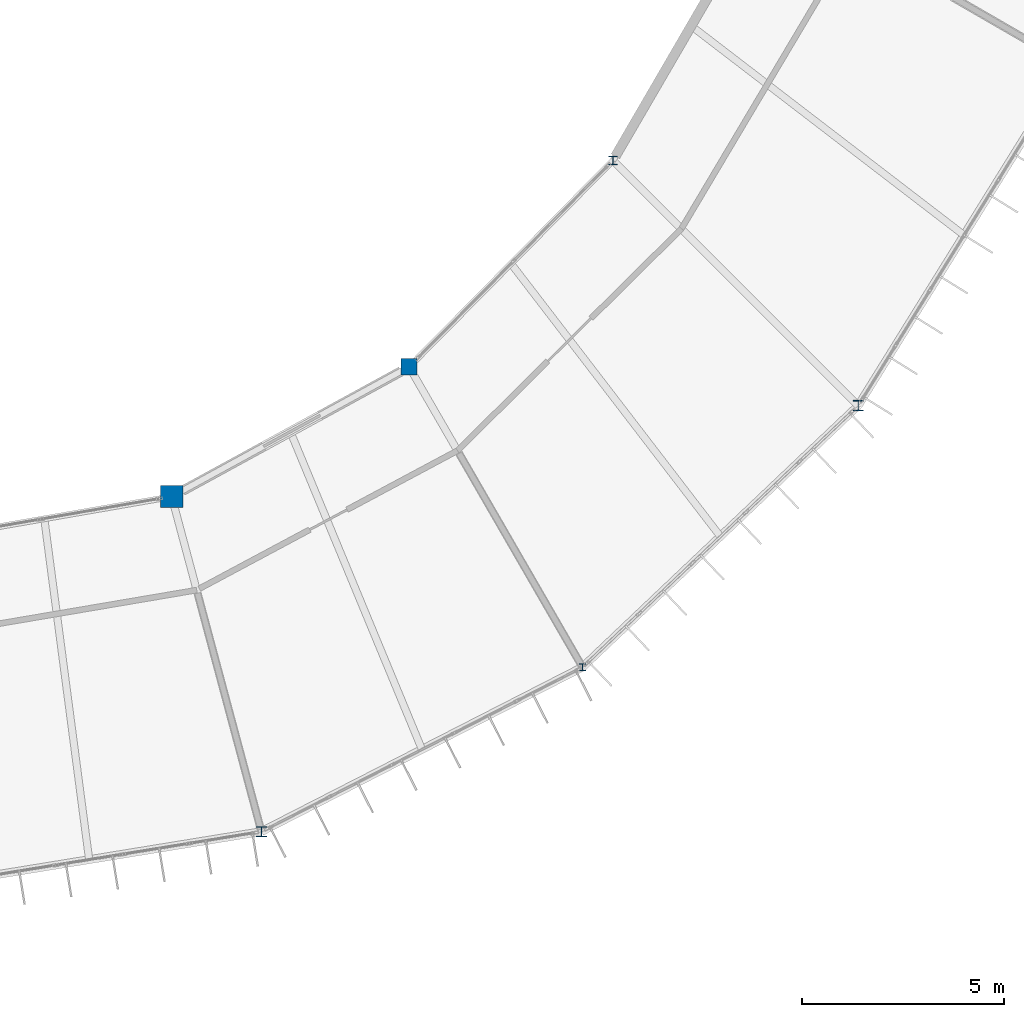
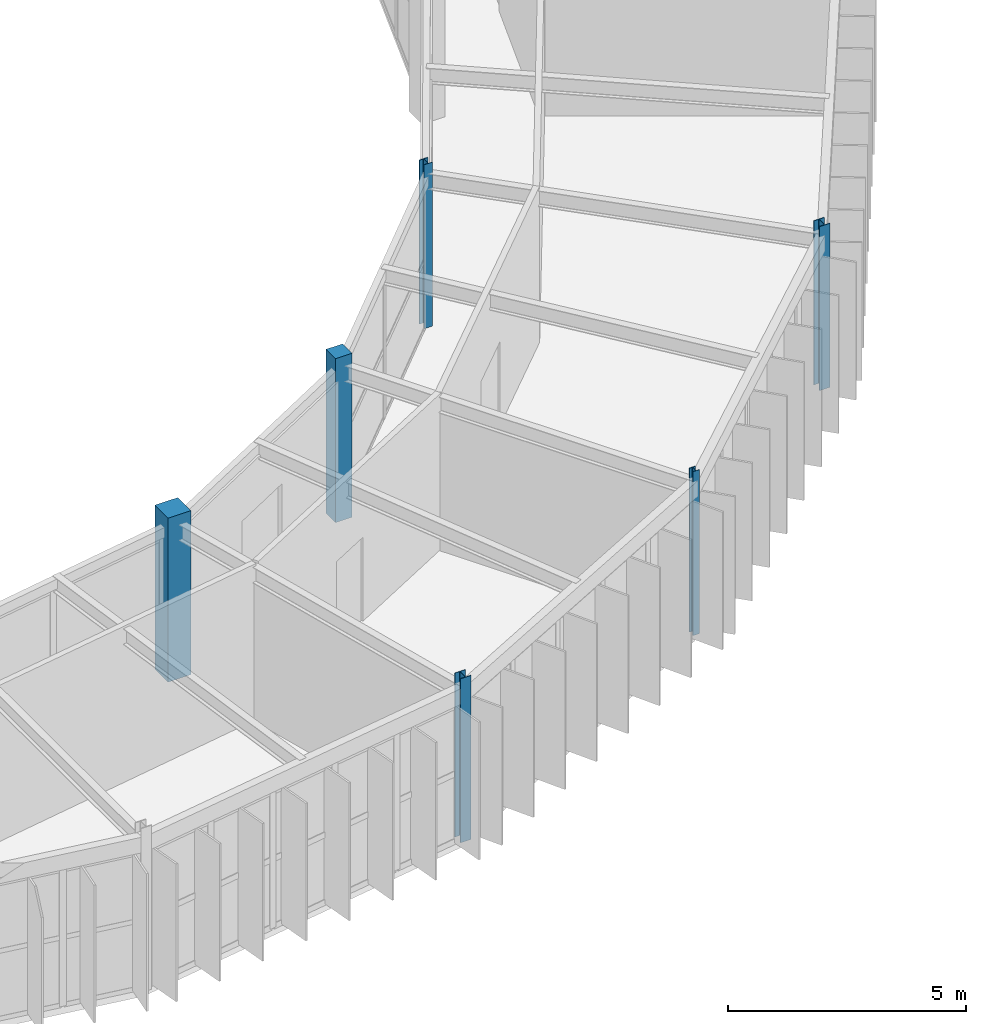
# One storey, part 3 of 106: 6 columns.
"""IFC4 building model written with IfcOpenShell, lengths in metres."""

from ifc_helpers import new_model, si_unit, direction, frame, origin, origin_2d, place, context, subcontext, project, spatial, rectangle, i_section, extrude, material, material_profile, profile_set, type_object, element, save


model = new_model("IFC4")

# Units and contexts
model_context = context("Model", 3, precision=1e-05, world=origin(), true_north=direction((0.0, 1.0)))
body_context = subcontext(model_context, "Body", "Model", "MODEL_VIEW")
ifc_project = project(units=[si_unit("LENGTHUNIT", "METRE"), si_unit("AREAUNIT", "SQUARE_METRE"), si_unit("VOLUMEUNIT", "CUBIC_METRE"), si_unit("PLANEANGLEUNIT", "RADIAN"), si_unit("MASSUNIT", "GRAM", prefix="KILO")], contexts=[model_context])

# Site, building, storey
site_placement = place(None, origin())
site = spatial("IfcSite", under=ifc_project, at=site_placement, CompositionType="ELEMENT")
building_placement = place(site_placement, origin())
building = spatial("IfcBuilding", under=site, at=building_placement, Name="Karori Crest Natural Sciences Institute", CompositionType="ELEMENT")
storey_placement = place(building_placement, frame((0.0, 0.0, 25.89990234375)))
storey = spatial("IfcBuildingStorey", under=building, at=storey_placement, Name="L06", CompositionType="ELEMENT", Elevation=25.89990234375)

# Columns
ifc_material_1 = material(Name="Structural steel AS/NZS 3679.1 Grade 350", Category="steel")
ifc_material_profile_1 = material_profile(ifc_material_1, i_section(OverallWidth=0.256103515625, OverallDepth=0.260009765625, WebThickness=0.010498046875, FlangeThickness=0.017333984375, FilletRadius=0.013916015625, at=origin_2d()), Name="250UC89.5")
ifc_profile_set_1 = profile_set([ifc_material_profile_1], Name="Structural steel AS/NZS 3679.1 Grade 350")
column_type_1 = type_object("IfcColumnType", Name="CT-06", PredefinedType="COLUMN", material=ifc_profile_set_1)
column_1_placement = place(storey_placement, frame((89.734619140625, 21.050048828125, 0.0), z_axis=(0.0, 0.0, 1.0), x_axis=(1.0, 0.0, 0.0)))
element("IfcColumn", 1, at=column_1_placement, inside=storey, type_object=column_type_1, Name="Column C-0359", PredefinedType="COLUMN", context=body_context, shape_type="SweptSolid", body=[
    extrude(i_section(OverallWidth=0.256103515625, OverallDepth=0.260009765625, WebThickness=0.010498046875, FlangeThickness=0.017333984375, FilletRadius=0.013916015625, at=origin_2d()), origin(), (0.0, 0.0, 1.0), 4.2001953125),
])
ifc_material_profile_2 = material_profile(ifc_material_1, i_section(OverallWidth=0.25390625, OverallDepth=0.25390625, WebThickness=0.008544921875, FlangeThickness=0.01416015625, FilletRadius=0.013916015625, at=origin_2d()), Name="250UC72.9")
ifc_profile_set_2 = profile_set([ifc_material_profile_2], Name="Structural steel AS/NZS 3679.1 Grade 350")
column_type_2 = type_object("IfcColumnType", Name="CT-07", PredefinedType="COLUMN", material=ifc_profile_set_2)
column_2_placement = place(storey_placement, frame((74.94091796875, 10.490234375, 0.0), z_axis=(0.0, 0.0, 1.0), x_axis=(1.0, 0.0, 0.0)))
element("IfcColumn", 2, at=column_2_placement, inside=storey, type_object=column_type_2, Name="Column C-0327", PredefinedType="COLUMN", context=body_context, shape_type="SweptSolid", body=[
    extrude(i_section(OverallWidth=0.25390625, OverallDepth=0.25390625, WebThickness=0.008544921875, FlangeThickness=0.01416015625, FilletRadius=0.013916015625, at=origin_2d()), origin(), (0.0, 0.0, 1.0), 4.2001953125),
])
ifc_material_profile_3 = material_profile(ifc_material_1, i_section(OverallWidth=0.205078125, OverallDepth=0.2099609375, WebThickness=0.00927734375, FlangeThickness=0.01416015625, FilletRadius=0.010986328125, at=origin_2d()), Name="200UC59.5")
ifc_profile_set_3 = profile_set([ifc_material_profile_3], Name="Structural steel AS/NZS 3679.1 Grade 350")
column_type_3 = type_object("IfcColumnType", Name="CT-08", PredefinedType="COLUMN", material=ifc_profile_set_3)
column_3_placement = place(storey_placement, frame((83.6533203125, 27.131103515625, 0.0), z_axis=(0.0, 0.0, 1.0), x_axis=(1.0, 0.0, 0.0)))
element("IfcColumn", 3, at=column_3_placement, inside=storey, type_object=column_type_3, Name="Column C-0360", PredefinedType="COLUMN", context=body_context, shape_type="SweptSolid", body=[
    extrude(i_section(OverallWidth=0.205078125, OverallDepth=0.2099609375, WebThickness=0.00927734375, FlangeThickness=0.01416015625, FilletRadius=0.010986328125, at=origin_2d()), origin(), (0.0, 0.0, 1.0), 4.2001953125),
])
ifc_material_profile_4 = material_profile(ifc_material_1, i_section(OverallWidth=0.154052734375, OverallDepth=0.162109375, WebThickness=0.008056640625, FlangeThickness=0.011474609375, FilletRadius=0.009033203125, at=origin_2d()), Name="150UC37.2")
ifc_profile_set_4 = profile_set([ifc_material_profile_4], Name="Structural steel AS/NZS 3679.1 Grade 350")
column_type_4 = type_object("IfcColumnType", Name="CT-26", PredefinedType="COLUMN", material=ifc_profile_set_4)
column_4_placement = place(storey_placement, frame((82.89990234375, 14.566162109375, 0.0), z_axis=(0.0, 0.0, 1.0), x_axis=(1.0, 0.0, 0.0)))
element("IfcColumn", 4, at=column_4_placement, inside=storey, type_object=column_type_4, Name="Column C-0343", PredefinedType="COLUMN", context=body_context, shape_type="SweptSolid", body=[
    extrude(i_section(OverallWidth=0.154052734375, OverallDepth=0.162109375, WebThickness=0.008056640625, FlangeThickness=0.011474609375, FilletRadius=0.009033203125, at=origin_2d()), origin(), (0.0, 0.0, 1.0), 4.2001953125),
])
ifc_material_2 = material(Name="Concrete 50 MPa", Category="concrete")
ifc_material_profile_5 = material_profile(ifc_material_2, rectangle(XDim=0.550048828125, YDim=0.550048828125, at=origin_2d()), Name="RC550x550")
ifc_profile_set_5 = profile_set([ifc_material_profile_5], Name="Concrete 50 MPa")
column_type_5 = type_object("IfcColumnType", Name="CT-30", PredefinedType="COLUMN", material=ifc_profile_set_5)
column_5_placement = place(storey_placement, frame((72.715087890625, 18.797119140625, 0.0), z_axis=(0.0, 0.0, 1.0), x_axis=(1.0, 0.0, 0.0)))
element("IfcColumn", 5, at=column_5_placement, inside=storey, type_object=column_type_5, Name="Column C-0328", PredefinedType="COLUMN", context=body_context, shape_type="SweptSolid", body=[
    extrude(rectangle(XDim=0.550048828125, YDim=0.550048828125, at=origin_2d()), origin(), (0.0, 0.0, 1.0), 4.2001953125),
])
ifc_material_profile_6 = material_profile(ifc_material_2, rectangle(XDim=0.39990234375, YDim=0.39990234375, at=origin_2d()), Name="RC400x400")
ifc_profile_set_6 = profile_set([ifc_material_profile_6], Name="Concrete 50 MPa")
column_type_6 = type_object("IfcColumnType", Name="CT-31", PredefinedType="PILASTER", material=ifc_profile_set_6)
column_6_placement = place(storey_placement, frame((78.60009765625, 22.013916015625, 0.0), z_axis=(0.0, 0.0, 1.0), x_axis=(1.0, 0.0, 0.0)))
element("IfcColumn", 6, at=column_6_placement, inside=storey, type_object=column_type_6, Name="Column C-0344", PredefinedType="PILASTER", context=body_context, shape_type="SweptSolid", body=[
    extrude(rectangle(XDim=0.39990234375, YDim=0.39990234375, at=origin_2d()), origin(), (0.0, 0.0, 1.0), 4.2001953125),
])

save(model, "model.ifc")
